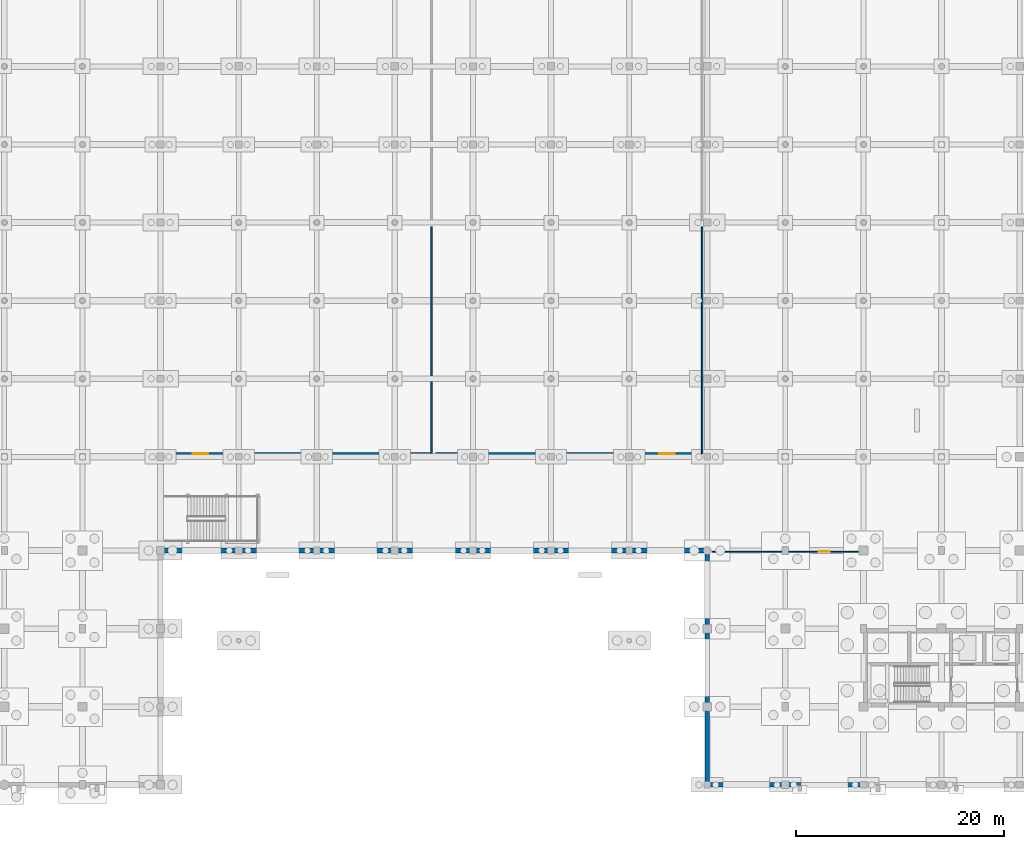
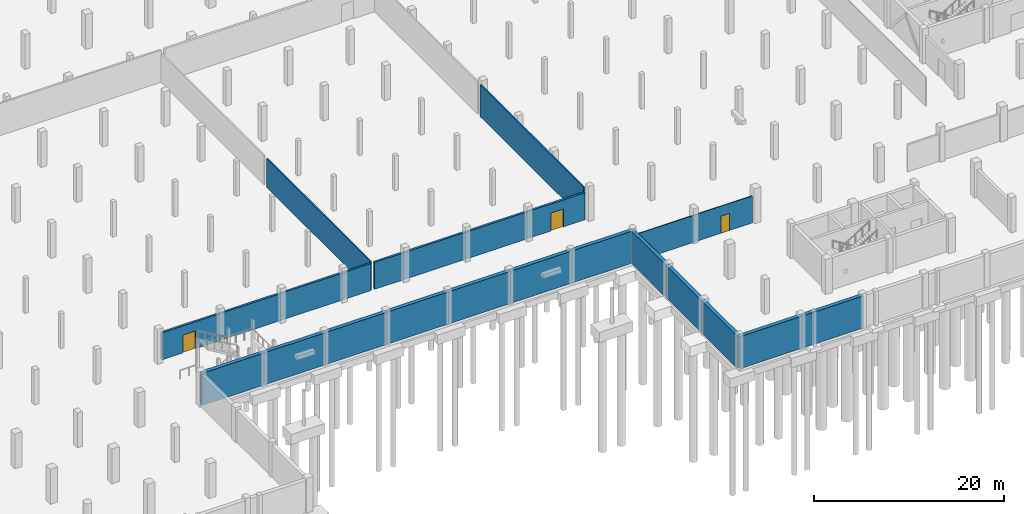
# One storey, part 27 of 42: 17 walls, 3 doors, 3 openings.
"""IFC4 building model written with IfcOpenShell, lengths in metres."""

from ifc_helpers import new_model, si_unit, direction, frame, frame_2d, origin, place, context, subcontext, project, spatial, rectangle, extrude, material, layer, layer_set, type_object, element, fill, save


model = new_model("IFC4")

# Units and contexts
model_context = context("Model", 3, precision=1e-05, world=origin(), true_north=direction((0.0, 1.0)))
body_context = subcontext(model_context, "Body", "Model", "MODEL_VIEW")
ifc_project = project(units=[si_unit("LENGTHUNIT", "METRE"), si_unit("AREAUNIT", "SQUARE_METRE"), si_unit("VOLUMEUNIT", "CUBIC_METRE"), si_unit("PLANEANGLEUNIT", "RADIAN"), si_unit("MASSUNIT", "GRAM", prefix="KILO")], contexts=[model_context])

# Site, building, storey
site_placement = place(None, origin())
site = spatial("IfcSite", under=ifc_project, at=site_placement, CompositionType="ELEMENT")
building_placement = place(site_placement, origin())
building = spatial("IfcBuilding", under=site, at=building_placement, Name="Dalvernix Boulevard General Hospital", CompositionType="ELEMENT")
storey_placement = place(building_placement, frame((0.0, 0.0, -4.5)))
storey = spatial("IfcBuildingStorey", under=building, at=storey_placement, Name="B1", CompositionType="ELEMENT", Elevation=-4.5)

# Wall, opening, door
ifc_material_1 = material(Name="Acoustic fire-rated masonry clinical wall", Category="masonry")
ifc_layer_1 = layer(ifc_material_1, 0.25)
ifc_layer_set_1 = layer_set([ifc_layer_1], Name="Acoustic fire-rated masonry clinical wall (WAL-IW-01)")
wall_type_1 = type_object("IfcWallType", Name="WAL-IW-01", PredefinedType="STANDARD", material=ifc_layer_set_1)
wall_1_placement = place(storey_placement, frame((60.5, 31.800048828125, 0.0), z_axis=(0.0, 0.0, 1.0), x_axis=(1.0, 0.0, 0.0)))
wall_1 = element("IfcWall", 1, at=wall_1_placement, inside=storey, type_object=wall_type_1, Name="B1 Central Sterile Supply Decontamination Hall corridor wall", PredefinedType="STANDARD", context=body_context, shape_type="SweptSolid", body=[
    extrude(rectangle(XDim=25.5, YDim=0.25, at=frame_2d((12.75, 0.0))), origin(), (0.0, 0.0, 1.0), 3.47509765625),
])
opening_1_placement = place(wall_1_placement, frame((2.60009765625, 0.0, 0.0)))
opening_1 = element("IfcOpeningElement", 2, at=opening_1_placement, cuts=wall_1, Name="Opening ID-14", PredefinedType="OPENING", context=body_context, shape_type="SweptSolid", body=[
    extrude(rectangle(XDim=1.5, YDim=2.300048828125, at=frame_2d((0.75, 1.14990234375))), frame((0.0, 0.135009765625, 0.0), z_axis=(0.0, -1.0, 0.0), x_axis=(1.0, 0.0, 0.0)), (0.0, 0.0, 1.0), 0.27001953125),
])
ifc_material_2 = material(Name="Hospital laminate acoustic timber and steel frame", Category="steel")
door_type_1 = type_object("IfcDoorType", Name="DR-ID-14", OperationType="DOUBLE_DOOR_SINGLE_SWING", PredefinedType="DOOR", material=ifc_material_2)
door_1_placement = place(opening_1_placement, origin())
door_1 = element("IfcDoor", 3, at=door_1_placement, inside=storey, type_object=door_type_1, Name="B1 Central Sterile Supply Decontamination Hall door", OperationType="DOUBLE_DOOR_SINGLE_SWING", OverallHeight=2.300048828125, OverallWidth=1.5, PredefinedType="DOOR", context=body_context, shape_type="SweptSolid", body=[
    extrude(rectangle(XDim=1.5, YDim=2.300048828125, at=frame_2d((0.75, 1.14990234375))), frame((0.0, 0.02490234375, 0.0), z_axis=(0.0, -1.0, 0.0), x_axis=(1.0, 0.0, 0.0)), (0.0, 0.0, 1.0), 0.050048828125),
])
fill(opening_1, door_1)

wall_2_placement = place(storey_placement, frame((86.39990234375, 31.800048828125, 0.0), z_axis=(0.0, 0.0, 1.0), x_axis=(1.0, 0.0, 0.0)))
wall_2 = element("IfcWall", 4, at=wall_2_placement, inside=storey, type_object=wall_type_1, Name="B1 Sterile Autoclave and Instrument Packing Hall corridor wall", PredefinedType="STANDARD", context=body_context, shape_type="SweptSolid", body=[
    extrude(rectangle(XDim=25.60009765625, YDim=0.25, at=frame_2d((12.800048828125, 0.0))), origin(), (0.0, 0.0, 1.0), 3.47509765625),
])
opening_2_placement = place(wall_2_placement, frame((21.489990234375, 0.0, 0.0)))
opening_2 = element("IfcOpeningElement", 5, at=opening_2_placement, cuts=wall_2, Name="Opening ID-14", PredefinedType="OPENING", context=body_context, shape_type="SweptSolid", body=[
    extrude(rectangle(XDim=1.5, YDim=2.300048828125, at=frame_2d((0.75, 1.14990234375))), frame((0.0, 0.135009765625, 0.0), z_axis=(0.0, -1.0, 0.0), x_axis=(1.0, 0.0, 0.0)), (0.0, 0.0, 1.0), 0.27001953125),
])
door_2_placement = place(opening_2_placement, origin())
door_2 = element("IfcDoor", 6, at=door_2_placement, inside=storey, type_object=door_type_1, Name="B1 Sterile Autoclave and Instrument Packing Hall door", OperationType="DOUBLE_DOOR_SINGLE_SWING", OverallHeight=2.300048828125, OverallWidth=1.5, PredefinedType="DOOR", context=body_context, shape_type="SweptSolid", body=[
    extrude(rectangle(XDim=1.5, YDim=2.300048828125, at=frame_2d((0.75, 1.14990234375))), frame((0.0, 0.02490234375, 0.0), z_axis=(0.0, -1.0, 0.0), x_axis=(1.0, 0.0, 0.0)), (0.0, 0.0, 1.0), 0.050048828125),
])
fill(opening_2, door_2)

# Walls
ifc_material_3 = material(Name="Acoustic double-stud gypsum inpatient partition")
ifc_layer_2 = layer(ifc_material_3, 0.14990234375)
ifc_layer_set_2 = layer_set([ifc_layer_2], Name="Acoustic double-stud gypsum inpatient partition (WAL-IW-04)")
wall_type_2 = type_object("IfcWallType", Name="WAL-IW-04", PredefinedType="PARTITIONING", material=ifc_layer_set_2)
wall_3_placement = place(storey_placement, frame((86.0, 31.800048828125, 0.0), z_axis=(0.0, 0.0, 1.0), x_axis=(0.0, 1.0, 0.0)))
element("IfcWall", 7, at=wall_3_placement, inside=storey, type_object=wall_type_2, Name="B1 Central Sterile Supply Decontamination Hall partition", PredefinedType="PARTITIONING", context=body_context, shape_type="SweptSolid", body=[
    extrude(rectangle(XDim=21.800048828125, YDim=0.14990234375, at=frame_2d((10.89990234375, 0.0))), origin(), (0.0, 0.0, 1.0), 3.72509765625),
])
wall_4_placement = place(storey_placement, frame((112.0, 31.800048828125, 0.0), z_axis=(0.0, 0.0, 1.0), x_axis=(0.0, 1.0, 0.0)))
element("IfcWall", 8, at=wall_4_placement, inside=storey, type_object=wall_type_2, Name="B1 Sterile Autoclave and Instrument Packing Hall partition", PredefinedType="PARTITIONING", context=body_context, shape_type="SweptSolid", body=[
    extrude(rectangle(XDim=21.800048828125, YDim=0.14990234375, at=frame_2d((10.89990234375, 0.0))), origin(), (0.0, 0.0, 1.0), 4.125),
])

# Wall, opening, door
ifc_material_4 = material(Name="Fire-resisting clinical sub-partition")
ifc_layer_3 = layer(ifc_material_4, 0.10009765625)
ifc_layer_set_3 = layer_set([ifc_layer_3], Name="Fire-resisting clinical sub-partition (WAL-IW-06)")
wall_type_3 = type_object("IfcWallType", Name="WAL-IW-06", PredefinedType="PARTITIONING", material=ifc_layer_set_3)
wall_5_placement = place(storey_placement, frame((127.0, 22.39990234375, 0.0), z_axis=(0.0, 0.0, 1.0), x_axis=(-1.0, 0.0, 0.0)))
wall_5 = element("IfcWall", 9, at=wall_5_placement, inside=storey, type_object=wall_type_3, Name="B1 Clean Hospital Linen Storage and Dispatch corridor wall", PredefinedType="PARTITIONING", context=body_context, shape_type="SweptSolid", body=[
    extrude(rectangle(XDim=14.0, YDim=0.10009765625, at=frame_2d((7.0, 0.0))), origin(), (0.0, 0.0, 1.0), 3.47509765625),
])
opening_3_placement = place(wall_5_placement, frame((2.739990234375, 0.0, 0.0)))
opening_3 = element("IfcOpeningElement", 10, at=opening_3_placement, cuts=wall_5, Name="Opening ID-07", PredefinedType="OPENING", context=body_context, shape_type="SweptSolid", body=[
    extrude(rectangle(XDim=1.050048828125, YDim=2.199951171875, at=frame_2d((0.52490234375, 1.10009765625))), frame((0.0, 0.06005859375, 0.0), z_axis=(0.0, -1.0, 0.0), x_axis=(1.0, 0.0, 0.0)), (0.0, 0.0, 1.0), 0.1201171875),
])
door_type_2 = type_object("IfcDoorType", Name="DR-ID-07", OperationType="NOTDEFINED", PredefinedType="DOOR", material=ifc_material_2)
door_3_placement = place(opening_3_placement, origin())
door_3 = element("IfcDoor", 11, at=door_3_placement, inside=storey, type_object=door_type_2, Name="B1 Clean Hospital Linen Storage and Dispatch door", OperationType="SINGLE_SWING_LEFT", OverallHeight=2.199951171875, OverallWidth=1.050048828125, PredefinedType="DOOR", context=body_context, shape_type="SweptSolid", body=[
    extrude(rectangle(XDim=1.050048828125, YDim=2.199951171875, at=frame_2d((0.52490234375, 1.10009765625))), frame((0.0, 0.02490234375, 0.0), z_axis=(0.0, -1.0, 0.0), x_axis=(1.0, 0.0, 0.0)), (0.0, 0.0, 1.0), 0.050048828125),
])
fill(opening_3, door_3)

# Walls
ifc_material_5 = material(Name="Concrete C40/50", Category="concrete")
ifc_layer_4 = layer(ifc_material_5, 0.449951171875)
ifc_layer_set_4 = layer_set([ifc_layer_4], Name="Concrete C40/50 (WAL-RET-01)")
wall_type_4 = type_object("IfcWallType", Name="WAL-RET-01", PredefinedType="SOLIDWALL", material=ifc_layer_set_4)
for number, where, z_axis, x_axis, name in (
    (12, (127.5, 0.0, 0.0), (0.0, 0.0, 1.0), (-1.0, 0.0, 0.0), "B1 basement retaining wall 55"),
    (13, (120.0, 0.0, 0.0), (0.0, 0.0, 1.0), (-1.0, 0.0, 0.0), "B1 basement retaining wall 56"),
    (14, (112.5, 0.0, 0.0), (0.0, 0.0, 1.0), (0.0, 1.0, 0.0), "B1 basement retaining wall 57"),
    (15, (112.5, 7.5, 0.0), (0.0, 0.0, 1.0), (0.0, 1.0, 0.0), "B1 basement retaining wall 58"),
    (16, (112.5, 15.0, 0.0), (0.0, 0.0, 1.0), (0.0, 1.0, 0.0), "B1 basement retaining wall 59"),
    (17, (112.5, 22.5, 0.0), (0.0, 0.0, 1.0), (-1.0, 0.0, 0.0), "B1 basement retaining wall 60"),
    (18, (105.0, 22.5, 0.0), (0.0, 0.0, 1.0), (-1.0, 0.0, 0.0), "B1 basement retaining wall 61"),
    (19, (97.5, 22.5, 0.0), (0.0, 0.0, 1.0), (-1.0, 0.0, 0.0), "B1 basement retaining wall 62"),
    (20, (90.0, 22.5, 0.0), (0.0, 0.0, 1.0), (-1.0, 0.0, 0.0), "B1 basement retaining wall 63"),
    (21, (82.5, 22.5, 0.0), (0.0, 0.0, 1.0), (-1.0, 0.0, 0.0), "B1 basement retaining wall 64"),
    (22, (75.0, 22.5, 0.0), (0.0, 0.0, 1.0), (-1.0, 0.0, 0.0), "B1 basement retaining wall 65"),
    (23, (67.5, 22.5, 0.0), (0.0, 0.0, 1.0), (-1.0, 0.0, 0.0), "B1 basement retaining wall 66"),
):
    element("IfcWall", number, at=place(storey_placement, frame(where, z_axis=z_axis, x_axis=x_axis)), inside=storey, type_object=wall_type_4, Name=name, PredefinedType="SOLIDWALL", context=body_context, shape_type="SweptSolid", body=[
        extrude(rectangle(XDim=7.5, YDim=0.449951171875, at=frame_2d((3.75, 0.0))), origin(), (0.0, 0.0, 1.0), 4.139892578125),
    ])

save(model, "model.ifc")
